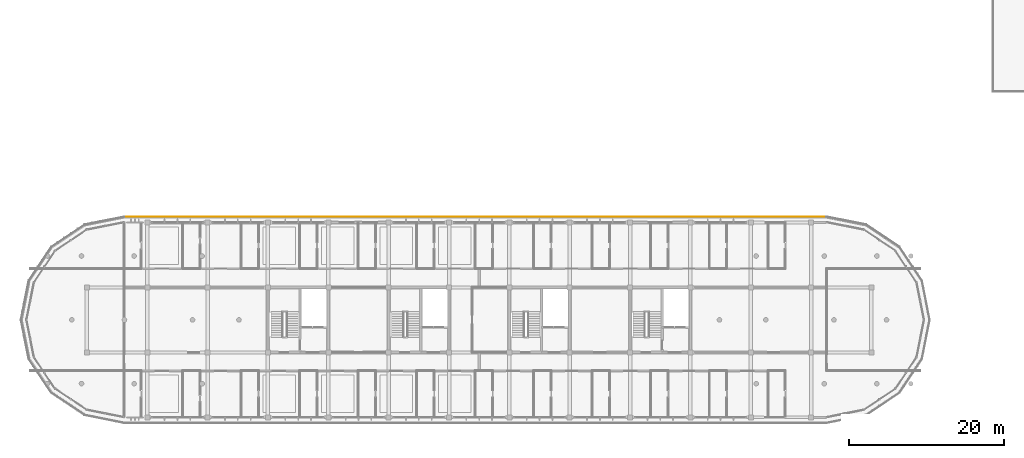
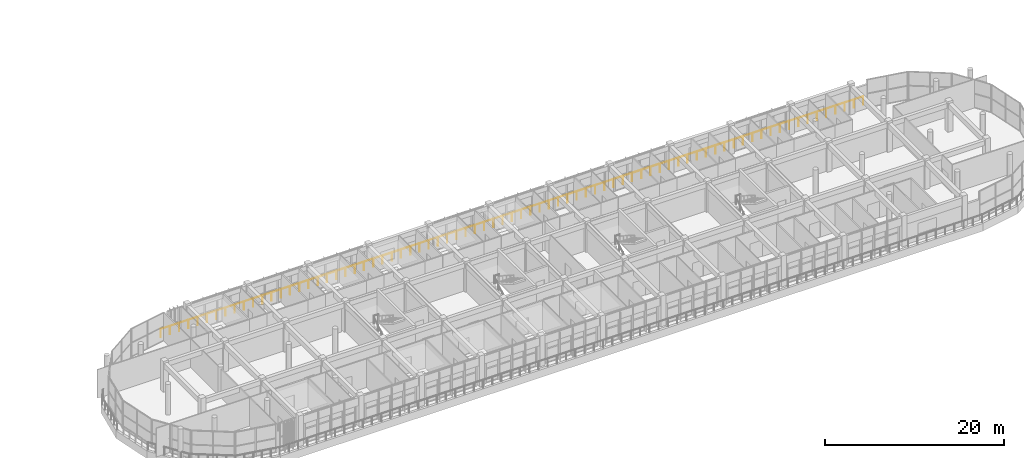
# One storey, part 60 of 63: 1 railing.
"""IFC4 building model written with IfcOpenShell, lengths in metres."""

from ifc_helpers import new_model, si_unit, direction, frame, origin, origin_2d, place, context, subcontext, project, spatial, hollow_rectangle, circle, extrude, material, material_profile, profile_set, type_object, element, save


model = new_model("IFC4")

# Units and contexts
model_context = context("Model", 3, precision=1e-05, world=origin(), true_north=direction((0.0, 1.0)))
body_context = subcontext(model_context, "Body", "Model", "MODEL_VIEW")
ifc_project = project(units=[si_unit("LENGTHUNIT", "METRE"), si_unit("AREAUNIT", "SQUARE_METRE"), si_unit("VOLUMEUNIT", "CUBIC_METRE"), si_unit("PLANEANGLEUNIT", "RADIAN"), si_unit("MASSUNIT", "GRAM", prefix="KILO")], contexts=[model_context])

# Site, building, storey
site_placement = place(None, origin())
site = spatial("IfcSite", under=ifc_project, at=site_placement, CompositionType="ELEMENT")
building_placement = place(site_placement, origin())
building = spatial("IfcBuilding", under=site, at=building_placement, Name="Zizhar Promenade General Hospital", CompositionType="ELEMENT")
storey_placement = place(building_placement, frame((0.0, 0.0, 18.0)))
storey = spatial("IfcBuildingStorey", under=building, at=storey_placement, Name="L04", CompositionType="ELEMENT", Elevation=18.0)

# Railing
ifc_material = material(Name="Steel S355", Category="steel")
ifc_material_profile = material_profile(ifc_material, hollow_rectangle(XDim=0.06005859375, YDim=0.1201171875, WallThickness=0.00390625, at=origin_2d()))
ifc_profile_set = profile_set([ifc_material_profile], Name="Steel S355")
railing_type = type_object("IfcRailingType", Name="RL-GUARD-EXT-1150", PredefinedType="GUARDRAIL", material=ifc_profile_set)
railing_placement = place(storey_placement, frame((119.0, 25.919921875, 0.0)))
element("IfcRailing", 1, at=railing_placement, inside=storey, type_object=railing_type, Name="Perimeter Safety Guardrail L04-09", PredefinedType="GUARDRAIL", context=body_context, shape_type="SweptSolid", body=[
    extrude(circle(Radius=0.02392578125, at=origin_2d()), frame((0.0, 0.0, 1.1259765625), z_axis=(-1.0, 0.0, 0.0), x_axis=(0.0, -1.0, 0.0)), (0.0, 0.0, 1.0), 90.800048828125),
    extrude(circle(Radius=0.02099609375, at=origin_2d()), origin(), (0.0, 0.0, 1.0), 1.101806640625),
    extrude(circle(Radius=0.02099609375, at=origin_2d()), frame((-1.19482421875, 0.0, 0.0)), (0.0, 0.0, 1.0), 1.101806640625),
    extrude(circle(Radius=0.02099609375, at=origin_2d()), frame((-2.389404296875, 0.0, 0.0)), (0.0, 0.0, 1.0), 1.101806640625),
    extrude(circle(Radius=0.02099609375, at=origin_2d()), frame((-3.584228515625, 0.0, 0.0)), (0.0, 0.0, 1.0), 1.101806640625),
    extrude(circle(Radius=0.02099609375, at=origin_2d()), frame((-4.779052734375, 0.0, 0.0)), (0.0, 0.0, 1.0), 1.101806640625),
    extrude(circle(Radius=0.02099609375, at=origin_2d()), frame((-5.9736328125, 0.0, 0.0)), (0.0, 0.0, 1.0), 1.101806640625),
    extrude(circle(Radius=0.02099609375, at=origin_2d()), frame((-7.16845703125, 0.0, 0.0)), (0.0, 0.0, 1.0), 1.101806640625),
    extrude(circle(Radius=0.02099609375, at=origin_2d()), frame((-8.36328125, 0.0, 0.0)), (0.0, 0.0, 1.0), 1.101806640625),
    extrude(circle(Radius=0.02099609375, at=origin_2d()), frame((-9.557861328125, 0.0, 0.0)), (0.0, 0.0, 1.0), 1.101806640625),
    extrude(circle(Radius=0.02099609375, at=origin_2d()), frame((-10.752685546875, 0.0, 0.0)), (0.0, 0.0, 1.0), 1.101806640625),
    extrude(circle(Radius=0.02099609375, at=origin_2d()), frame((-11.947265625, 0.0, 0.0)), (0.0, 0.0, 1.0), 1.101806640625),
    extrude(circle(Radius=0.02099609375, at=origin_2d()), frame((-13.14208984375, 0.0, 0.0)), (0.0, 0.0, 1.0), 1.101806640625),
    extrude(circle(Radius=0.02099609375, at=origin_2d()), frame((-14.3369140625, 0.0, 0.0)), (0.0, 0.0, 1.0), 1.101806640625),
    extrude(circle(Radius=0.02099609375, at=origin_2d()), frame((-15.531494140625, 0.0, 0.0)), (0.0, 0.0, 1.0), 1.101806640625),
    extrude(circle(Radius=0.02099609375, at=origin_2d()), frame((-16.726318359375, 0.0, 0.0)), (0.0, 0.0, 1.0), 1.101806640625),
    extrude(circle(Radius=0.02099609375, at=origin_2d()), frame((-17.921142578125, 0.0, 0.0)), (0.0, 0.0, 1.0), 1.101806640625),
    extrude(circle(Radius=0.02099609375, at=origin_2d()), frame((-19.11572265625, 0.0, 0.0)), (0.0, 0.0, 1.0), 1.101806640625),
    extrude(circle(Radius=0.02099609375, at=origin_2d()), frame((-20.310546875, 0.0, 0.0)), (0.0, 0.0, 1.0), 1.101806640625),
    extrude(circle(Radius=0.02099609375, at=origin_2d()), frame((-21.50537109375, 0.0, 0.0)), (0.0, 0.0, 1.0), 1.101806640625),
    extrude(circle(Radius=0.02099609375, at=origin_2d()), frame((-22.699951171875, 0.0, 0.0)), (0.0, 0.0, 1.0), 1.101806640625),
    extrude(circle(Radius=0.02099609375, at=origin_2d()), frame((-23.894775390625, 0.0, 0.0)), (0.0, 0.0, 1.0), 1.101806640625),
    extrude(circle(Radius=0.02099609375, at=origin_2d()), frame((-25.089599609375, 0.0, 0.0)), (0.0, 0.0, 1.0), 1.101806640625),
    extrude(circle(Radius=0.02099609375, at=origin_2d()), frame((-26.2841796875, 0.0, 0.0)), (0.0, 0.0, 1.0), 1.101806640625),
    extrude(circle(Radius=0.02099609375, at=origin_2d()), frame((-27.47900390625, 0.0, 0.0)), (0.0, 0.0, 1.0), 1.101806640625),
    extrude(circle(Radius=0.02099609375, at=origin_2d()), frame((-28.673583984375, 0.0, 0.0)), (0.0, 0.0, 1.0), 1.101806640625),
    extrude(circle(Radius=0.02099609375, at=origin_2d()), frame((-29.868408203125, 0.0, 0.0)), (0.0, 0.0, 1.0), 1.101806640625),
    extrude(circle(Radius=0.02099609375, at=origin_2d()), frame((-31.063232421875, 0.0, 0.0)), (0.0, 0.0, 1.0), 1.101806640625),
    extrude(circle(Radius=0.02099609375, at=origin_2d()), frame((-32.2578125, 0.0, 0.0)), (0.0, 0.0, 1.0), 1.101806640625),
    extrude(circle(Radius=0.02099609375, at=origin_2d()), frame((-33.45263671875, 0.0, 0.0)), (0.0, 0.0, 1.0), 1.101806640625),
    extrude(circle(Radius=0.02099609375, at=origin_2d()), frame((-34.6474609375, 0.0, 0.0)), (0.0, 0.0, 1.0), 1.101806640625),
    extrude(circle(Radius=0.02099609375, at=origin_2d()), frame((-35.842041015625, 0.0, 0.0)), (0.0, 0.0, 1.0), 1.101806640625),
    extrude(circle(Radius=0.02099609375, at=origin_2d()), frame((-37.036865234375, 0.0, 0.0)), (0.0, 0.0, 1.0), 1.101806640625),
    extrude(circle(Radius=0.02099609375, at=origin_2d()), frame((-38.231689453125, 0.0, 0.0)), (0.0, 0.0, 1.0), 1.101806640625),
    extrude(circle(Radius=0.02099609375, at=origin_2d()), frame((-39.42626953125, 0.0, 0.0)), (0.0, 0.0, 1.0), 1.101806640625),
    extrude(circle(Radius=0.02099609375, at=origin_2d()), frame((-40.62109375, 0.0, 0.0)), (0.0, 0.0, 1.0), 1.101806640625),
    extrude(circle(Radius=0.02099609375, at=origin_2d()), frame((-41.81591796875, 0.0, 0.0)), (0.0, 0.0, 1.0), 1.101806640625),
    extrude(circle(Radius=0.02099609375, at=origin_2d()), frame((-43.010498046875, 0.0, 0.0)), (0.0, 0.0, 1.0), 1.101806640625),
    extrude(circle(Radius=0.02099609375, at=origin_2d()), frame((-44.205322265625, 0.0, 0.0)), (0.0, 0.0, 1.0), 1.101806640625),
    extrude(circle(Radius=0.02099609375, at=origin_2d()), frame((-45.39990234375, 0.0, 0.0)), (0.0, 0.0, 1.0), 1.101806640625),
    extrude(circle(Radius=0.02099609375, at=origin_2d()), frame((-46.5947265625, 0.0, 0.0)), (0.0, 0.0, 1.0), 1.101806640625),
    extrude(circle(Radius=0.02099609375, at=origin_2d()), frame((-47.78955078125, 0.0, 0.0)), (0.0, 0.0, 1.0), 1.101806640625),
    extrude(circle(Radius=0.02099609375, at=origin_2d()), frame((-48.984130859375, 0.0, 0.0)), (0.0, 0.0, 1.0), 1.101806640625),
    extrude(circle(Radius=0.02099609375, at=origin_2d()), frame((-50.178955078125, 0.0, 0.0)), (0.0, 0.0, 1.0), 1.101806640625),
    extrude(circle(Radius=0.02099609375, at=origin_2d()), frame((-51.373779296875, 0.0, 0.0)), (0.0, 0.0, 1.0), 1.101806640625),
    extrude(circle(Radius=0.02099609375, at=origin_2d()), frame((-52.568359375, 0.0, 0.0)), (0.0, 0.0, 1.0), 1.101806640625),
    extrude(circle(Radius=0.02099609375, at=origin_2d()), frame((-53.76318359375, 0.0, 0.0)), (0.0, 0.0, 1.0), 1.101806640625),
    extrude(circle(Radius=0.02099609375, at=origin_2d()), frame((-54.9580078125, 0.0, 0.0)), (0.0, 0.0, 1.0), 1.101806640625),
    extrude(circle(Radius=0.02099609375, at=origin_2d()), frame((-56.152587890625, 0.0, 0.0)), (0.0, 0.0, 1.0), 1.101806640625),
    extrude(circle(Radius=0.02099609375, at=origin_2d()), frame((-57.347412109375, 0.0, 0.0)), (0.0, 0.0, 1.0), 1.101806640625),
    extrude(circle(Radius=0.02099609375, at=origin_2d()), frame((-58.542236328125, 0.0, 0.0)), (0.0, 0.0, 1.0), 1.101806640625),
    extrude(circle(Radius=0.02099609375, at=origin_2d()), frame((-59.73681640625, 0.0, 0.0)), (0.0, 0.0, 1.0), 1.101806640625),
    extrude(circle(Radius=0.02099609375, at=origin_2d()), frame((-60.931640625, 0.0, 0.0)), (0.0, 0.0, 1.0), 1.101806640625),
    extrude(circle(Radius=0.02099609375, at=origin_2d()), frame((-62.12646484375, 0.0, 0.0)), (0.0, 0.0, 1.0), 1.101806640625),
    extrude(circle(Radius=0.02099609375, at=origin_2d()), frame((-63.321044921875, 0.0, 0.0)), (0.0, 0.0, 1.0), 1.101806640625),
    extrude(circle(Radius=0.02099609375, at=origin_2d()), frame((-64.515869140625, 0.0, 0.0)), (0.0, 0.0, 1.0), 1.101806640625),
    extrude(circle(Radius=0.02099609375, at=origin_2d()), frame((-65.71044921875, 0.0, 0.0)), (0.0, 0.0, 1.0), 1.101806640625),
    extrude(circle(Radius=0.02099609375, at=origin_2d()), frame((-66.9052734375, 0.0, 0.0)), (0.0, 0.0, 1.0), 1.101806640625),
    extrude(circle(Radius=0.02099609375, at=origin_2d()), frame((-68.10009765625, 0.0, 0.0)), (0.0, 0.0, 1.0), 1.101806640625),
    extrude(circle(Radius=0.02099609375, at=origin_2d()), frame((-69.294677734375, 0.0, 0.0)), (0.0, 0.0, 1.0), 1.101806640625),
    extrude(circle(Radius=0.02099609375, at=origin_2d()), frame((-70.489501953125, 0.0, 0.0)), (0.0, 0.0, 1.0), 1.101806640625),
    extrude(circle(Radius=0.02099609375, at=origin_2d()), frame((-71.684326171875, 0.0, 0.0)), (0.0, 0.0, 1.0), 1.101806640625),
    extrude(circle(Radius=0.02099609375, at=origin_2d()), frame((-72.87890625, 0.0, 0.0)), (0.0, 0.0, 1.0), 1.101806640625),
    extrude(circle(Radius=0.02099609375, at=origin_2d()), frame((-74.07373046875, 0.0, 0.0)), (0.0, 0.0, 1.0), 1.101806640625),
    extrude(circle(Radius=0.02099609375, at=origin_2d()), frame((-75.2685546875, 0.0, 0.0)), (0.0, 0.0, 1.0), 1.101806640625),
    extrude(circle(Radius=0.02099609375, at=origin_2d()), frame((-76.463134765625, 0.0, 0.0)), (0.0, 0.0, 1.0), 1.101806640625),
    extrude(circle(Radius=0.02099609375, at=origin_2d()), frame((-77.657958984375, 0.0, 0.0)), (0.0, 0.0, 1.0), 1.101806640625),
    extrude(circle(Radius=0.02099609375, at=origin_2d()), frame((-78.852783203125, 0.0, 0.0)), (0.0, 0.0, 1.0), 1.101806640625),
    extrude(circle(Radius=0.02099609375, at=origin_2d()), frame((-80.04736328125, 0.0, 0.0)), (0.0, 0.0, 1.0), 1.101806640625),
    extrude(circle(Radius=0.02099609375, at=origin_2d()), frame((-81.2421875, 0.0, 0.0)), (0.0, 0.0, 1.0), 1.101806640625),
    extrude(circle(Radius=0.02099609375, at=origin_2d()), frame((-82.436767578125, 0.0, 0.0)), (0.0, 0.0, 1.0), 1.101806640625),
    extrude(circle(Radius=0.02099609375, at=origin_2d()), frame((-83.631591796875, 0.0, 0.0)), (0.0, 0.0, 1.0), 1.101806640625),
    extrude(circle(Radius=0.02099609375, at=origin_2d()), frame((-84.826416015625, 0.0, 0.0)), (0.0, 0.0, 1.0), 1.101806640625),
    extrude(circle(Radius=0.02099609375, at=origin_2d()), frame((-86.02099609375, 0.0, 0.0)), (0.0, 0.0, 1.0), 1.101806640625),
    extrude(circle(Radius=0.02099609375, at=origin_2d()), frame((-87.2158203125, 0.0, 0.0)), (0.0, 0.0, 1.0), 1.101806640625),
    extrude(circle(Radius=0.02099609375, at=origin_2d()), frame((-88.41064453125, 0.0, 0.0)), (0.0, 0.0, 1.0), 1.101806640625),
    extrude(circle(Radius=0.02099609375, at=origin_2d()), frame((-89.605224609375, 0.0, 0.0)), (0.0, 0.0, 1.0), 1.101806640625),
    extrude(circle(Radius=0.02099609375, at=origin_2d()), frame((-90.800048828125, 0.0, 0.0)), (0.0, 0.0, 1.0), 1.101806640625),
])

save(model, "model.ifc")
